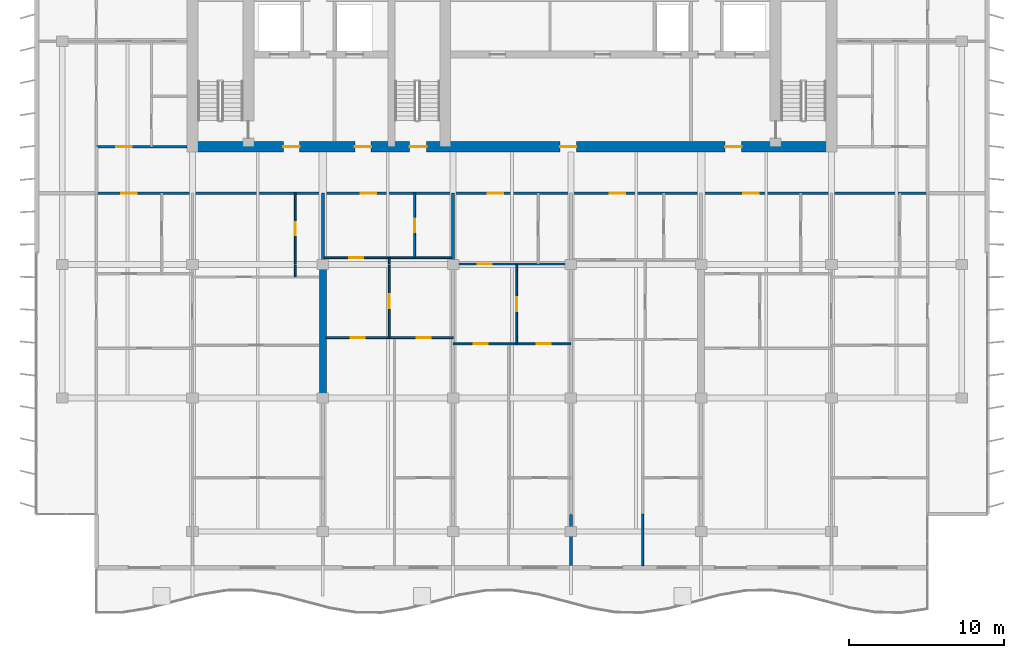
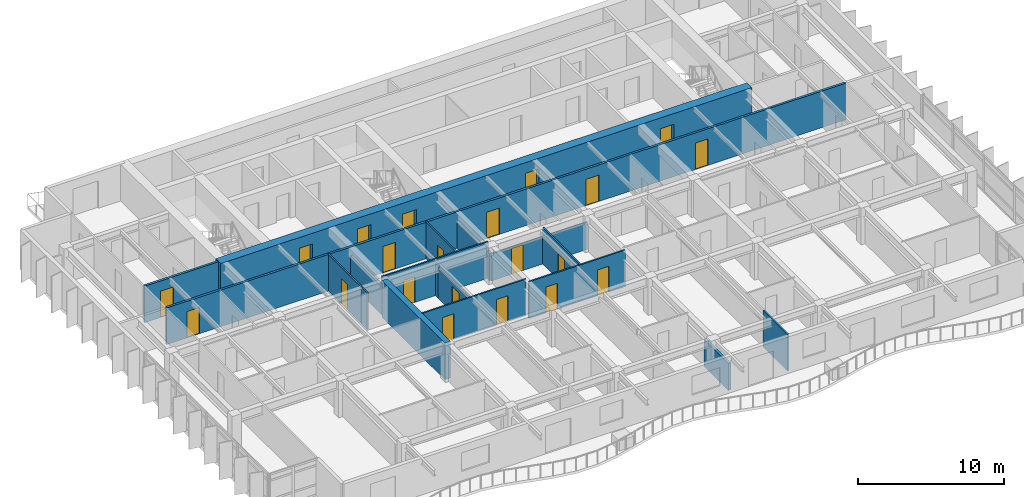
# One storey, part 7 of 16: 21 doors, 18 walls, 21 openings.
"""IFC4 building model written with IfcOpenShell, lengths in metres."""

from ifc_helpers import new_model, si_unit, direction, frame, frame_2d, origin, place, context, subcontext, project, spatial, rectangle, extrude, material, layer, layer_set, type_object, element, fill, save


model = new_model("IFC4")

# Units and contexts
model_context = context("Model", 3, precision=1e-05, world=origin(), true_north=direction((0.0, 1.0)))
body_context = subcontext(model_context, "Body", "Model", "MODEL_VIEW")
ifc_project = project(units=[si_unit("LENGTHUNIT", "METRE"), si_unit("AREAUNIT", "SQUARE_METRE"), si_unit("VOLUMEUNIT", "CUBIC_METRE"), si_unit("PLANEANGLEUNIT", "RADIAN"), si_unit("MASSUNIT", "GRAM", prefix="KILO")], contexts=[model_context])

# Site, building, storey
site_placement = place(None, origin())
site = spatial("IfcSite", under=ifc_project, at=site_placement, CompositionType="ELEMENT")
building_placement = place(site_placement, origin())
building = spatial("IfcBuilding", under=site, at=building_placement, Name="Caelmar Bay Residences", CompositionType="ELEMENT")
storey_placement = place(building_placement, frame((0.0, 0.0, 239.699951171875)))
storey = spatial("IfcBuildingStorey", under=building, at=storey_placement, Name="L67", CompositionType="ELEMENT", Elevation=239.699951171875)

# Wall, openings, doors
ifc_material_1 = material(Name="Concrete f'c 55 MPa (8,000 psi)", Category="concrete")
ifc_layer_1 = layer(ifc_material_1, 0.699951171875)
ifc_layer_set_1 = layer_set([ifc_layer_1], Name="Concrete f'c 55 MPa (8,000 psi)")
wall_type_1 = type_object("IfcWallType", Name="SW-COR-700", PredefinedType="SHEAR", material=ifc_layer_set_1)
wall_1_placement = place(storey_placement, frame((17.949951171875, 37.0, 0.0), z_axis=(0.0, 0.0, 1.0), x_axis=(1.0, 0.0, 0.0)))
wall_1 = element("IfcWall", 1, at=wall_1_placement, inside=storey, type_object=wall_type_1, Name="L67 Rear Core South Shear Wall", PredefinedType="SHEAR", context=body_context, shape_type="SweptSolid", body=[
    extrude(rectangle(XDim=41.900146484375, YDim=0.699951171875, at=frame_2d((20.9501953125, 0.0))), origin(), (0.0, 0.0, 1.0), 3.050048828125),
])
opening_1_placement = place(wall_1_placement, frame((14.35009765625, 0.0, 0.0)))
opening_1 = element("IfcOpeningElement", 2, at=opening_1_placement, cuts=wall_1, Name="Opening D-L67-105", PredefinedType="OPENING", context=body_context, shape_type="SweptSolid", body=[
    extrude(rectangle(XDim=1.10009765625, YDim=2.14990234375, at=frame_2d((0.550048828125, 1.074951171875))), frame((0.0, 0.35986328125, 0.0), z_axis=(0.0, -1.0, 0.0), x_axis=(1.0, 0.0, 0.0)), (0.0, 0.0, 1.0), 0.719970703125),
])
opening_2_placement = place(wall_1_placement, frame((6.199951171875, 0.0, 0.0)))
opening_2 = element("IfcOpeningElement", 3, at=opening_2_placement, cuts=wall_1, Name="Opening D-L67-106", PredefinedType="OPENING", context=body_context, shape_type="SweptSolid", body=[
    extrude(rectangle(XDim=1.050048828125, YDim=2.14990234375, at=frame_2d((0.52490234375, 1.074951171875))), frame((0.0, 0.35986328125, 0.0), z_axis=(0.0, -1.0, 0.0), x_axis=(1.0, 0.0, 0.0)), (0.0, 0.0, 1.0), 0.719970703125),
])
opening_3_placement = place(wall_1_placement, frame((34.699951171875, 0.0, 0.0)))
opening_3 = element("IfcOpeningElement", 4, at=opening_3_placement, cuts=wall_1, Name="Opening D-L67-109", PredefinedType="OPENING", context=body_context, shape_type="SweptSolid", body=[
    extrude(rectangle(XDim=1.050048828125, YDim=2.14990234375, at=frame_2d((0.52490234375, 1.074951171875))), frame((0.0, 0.35986328125, 0.0), z_axis=(0.0, -1.0, 0.0), x_axis=(1.0, 0.0, 0.0)), (0.0, 0.0, 1.0), 0.719970703125),
])
opening_4_placement = place(wall_1_placement, frame((10.8125, 0.0, 0.0)))
opening_4 = element("IfcOpeningElement", 5, at=opening_4_placement, cuts=wall_1, Name="Opening D-L67-112", PredefinedType="OPENING", context=body_context, shape_type="SweptSolid", body=[
    extrude(rectangle(XDim=1.050048828125, YDim=2.14990234375, at=frame_2d((0.52490234375, 1.074951171875))), frame((0.0, 0.35986328125, 0.0), z_axis=(0.0, -1.0, 0.0), x_axis=(1.0, 0.0, 0.0)), (0.0, 0.0, 1.0), 0.719970703125),
])
opening_5_placement = place(wall_1_placement, frame((24.050048828125, 0.0, 0.0)))
opening_5 = element("IfcOpeningElement", 6, at=opening_5_placement, cuts=wall_1, Name="Opening D-L67-113", PredefinedType="OPENING", context=body_context, shape_type="SweptSolid", body=[
    extrude(rectangle(XDim=1.050048828125, YDim=2.14990234375, at=frame_2d((0.52490234375, 1.074951171875))), frame((0.0, 0.35986328125, 0.0), z_axis=(0.0, -1.0, 0.0), x_axis=(1.0, 0.0, 0.0)), (0.0, 0.0, 1.0), 0.719970703125),
])
ifc_material_2 = material(Name="Fire-rated steel and walnut architectural door assembly", Category="steel")
ifc_layer_2 = layer(ifc_material_2, 0.050048828125)
ifc_layer_set_2 = layer_set([ifc_layer_2], Name="Fire-rated steel and walnut architectural door assembly")
door_type_1 = type_object("IfcDoorType", Name="D-FSAE-1050", OperationType="NOTDEFINED", PredefinedType="DOOR", material=ifc_layer_set_2)
door_1_placement = place(opening_2_placement, origin())
door_1 = element("IfcDoor", 7, at=door_1_placement, inside=storey, type_object=door_type_1, Name="L67 Firefighting Lobby West Door", OperationType="SINGLE_SWING_LEFT", OverallHeight=2.14990234375, OverallWidth=1.050048828125, PredefinedType="DOOR", context=body_context, shape_type="SweptSolid", body=[
    extrude(rectangle(XDim=1.050048828125, YDim=2.14990234375, at=frame_2d((0.52490234375, 1.074951171875))), frame((0.0, 0.02490234375, 0.0), z_axis=(0.0, -1.0, 0.0), x_axis=(1.0, 0.0, 0.0)), (0.0, 0.0, 1.0), 0.050048828125),
])
fill(opening_2, door_1)
door_2_placement = place(opening_3_placement, origin())
door_2 = element("IfcDoor", 8, at=door_2_placement, inside=storey, type_object=door_type_1, Name="L67 Firefighting Lobby East Door", OperationType="SINGLE_SWING_RIGHT", OverallHeight=2.14990234375, OverallWidth=1.050048828125, PredefinedType="DOOR", context=body_context, shape_type="SweptSolid", body=[
    extrude(rectangle(XDim=1.050048828125, YDim=2.14990234375, at=frame_2d((0.52490234375, 1.074951171875))), frame((0.0, 0.02490234375, 0.0), z_axis=(0.0, -1.0, 0.0), x_axis=(1.0, 0.0, 0.0)), (0.0, 0.0, 1.0), 0.050048828125),
])
fill(opening_3, door_2)
door_3_placement = place(opening_4_placement, origin())
door_3 = element("IfcDoor", 9, at=door_3_placement, inside=storey, type_object=door_type_1, Name="L67 West Lift Lobby Door", OperationType="SINGLE_SWING_LEFT", OverallHeight=2.14990234375, OverallWidth=1.050048828125, PredefinedType="DOOR", context=body_context, shape_type="SweptSolid", body=[
    extrude(rectangle(XDim=1.050048828125, YDim=2.14990234375, at=frame_2d((0.52490234375, 1.074951171875))), frame((0.0, 0.02490234375, 0.0), z_axis=(0.0, -1.0, 0.0), x_axis=(1.0, 0.0, 0.0)), (0.0, 0.0, 1.0), 0.050048828125),
])
fill(opening_4, door_3)
door_4_placement = place(opening_5_placement, origin())
door_4 = element("IfcDoor", 10, at=door_4_placement, inside=storey, type_object=door_type_1, Name="L67 Passenger Lift Lobby Door", OperationType="SINGLE_SWING_RIGHT", OverallHeight=2.14990234375, OverallWidth=1.050048828125, PredefinedType="DOOR", context=body_context, shape_type="SweptSolid", body=[
    extrude(rectangle(XDim=1.050048828125, YDim=2.14990234375, at=frame_2d((0.52490234375, 1.074951171875))), frame((0.0, 0.02490234375, 0.0), z_axis=(0.0, -1.0, 0.0), x_axis=(1.0, 0.0, 0.0)), (0.0, 0.0, 1.0), 0.050048828125),
])
fill(opening_5, door_4)
ifc_layer_3 = layer(ifc_material_2, 0.050048828125)
ifc_layer_set_3 = layer_set([ifc_layer_3], Name="Fire-rated steel and walnut architectural door assembly")
door_type_2 = type_object("IfcDoorType", Name="D-STAIR-1100", OperationType="NOTDEFINED", PredefinedType="DOOR", material=ifc_layer_set_3)
door_5_placement = place(opening_1_placement, origin())
door_5 = element("IfcDoor", 11, at=door_5_placement, inside=storey, type_object=door_type_2, Name="L67 Exit Stair ST3 Door", OperationType="SINGLE_SWING_RIGHT", OverallHeight=2.14990234375, OverallWidth=1.10009765625, PredefinedType="DOOR", context=body_context, shape_type="SweptSolid", body=[
    extrude(rectangle(XDim=1.10009765625, YDim=2.14990234375, at=frame_2d((0.550048828125, 1.074951171875))), frame((0.0, 0.02490234375, 0.0), z_axis=(0.0, -1.0, 0.0), x_axis=(1.0, 0.0, 0.0)), (0.0, 0.0, 1.0), 0.050048828125),
])
fill(opening_1, door_5)

# Wall
ifc_layer_4 = layer(ifc_material_1, 0.449951171875)
ifc_layer_set_4 = layer_set([ifc_layer_4], Name="Concrete f'c 55 MPa (8,000 psi)")
wall_type_2 = type_object("IfcWallType", Name="SW-XSLB-450", PredefinedType="SHEAR", material=ifc_layer_set_4)
wall_2_placement = place(storey_placement, frame((26.699951171875, 20.800048828125, 0.0), z_axis=(0.0, 0.0, 1.0), x_axis=(0.0, 1.0, 0.0)))
element("IfcWall", 12, at=wall_2_placement, inside=storey, type_object=wall_type_2, Name="L67 Transverse Cross-Slab Shear Wall W5", PredefinedType="SHEAR", context=body_context, shape_type="SweptSolid", body=[
    extrude(rectangle(XDim=8.599853515625, YDim=0.449951171875, at=frame_2d((4.2998046875, 0.0))), origin(), (0.0, 0.0, 1.0), 3.050048828125),
])

# Wall, openings, doors
ifc_material_3 = material(Name="Double-stud acoustic fire-rated gypsum partition 180 mm")
ifc_layer_5 = layer(ifc_material_3, 0.179931640625)
ifc_layer_set_5 = layer_set([ifc_layer_5], Name="Double-stud acoustic fire-rated gypsum partition 180 mm")
wall_type_3 = type_object("IfcWallType", Name="W-COR-200", PredefinedType="PARTITIONING", material=ifc_layer_set_5)
wall_3_placement = place(storey_placement, frame((12.10498046875, 34.0, 0.0), z_axis=(0.0, 0.0, 1.0), x_axis=(1.0, 0.0, 0.0)))
wall_3 = element("IfcWall", 13, at=wall_3_placement, inside=storey, type_object=wall_type_3, Name="L67 Partition Wall H083", PredefinedType="PARTITIONING", context=body_context, shape_type="SweptSolid", body=[
    extrude(rectangle(XDim=53.594970703125, YDim=0.179931640625, at=frame_2d((26.79736328125, 0.0))), origin(), (0.0, 0.0, 1.0), 3.050048828125),
])
opening_6_placement = place(wall_3_placement, frame((1.60693359375, 0.0, 0.0)))
opening_6 = element("IfcOpeningElement", 14, at=opening_6_placement, cuts=wall_3, Name="Opening D-L67-120", PredefinedType="OPENING", context=body_context, shape_type="SweptSolid", body=[
    extrude(rectangle(XDim=1.0, YDim=2.199951171875, at=frame_2d((0.5, 1.10009765625))), frame((0.0, 0.099853515625, 0.0), z_axis=(0.0, -1.0, 0.0), x_axis=(1.0, 0.0, 0.0)), (0.0, 0.0, 1.0), 0.199951171875),
])
opening_7_placement = place(wall_3_placement, frame((17.056884765625, 0.0, 0.0)))
opening_7 = element("IfcOpeningElement", 15, at=opening_7_placement, cuts=wall_3, Name="Opening D-L67-129", PredefinedType="OPENING", context=body_context, shape_type="SweptSolid", body=[
    extrude(rectangle(XDim=1.0, YDim=2.199951171875, at=frame_2d((0.5, 1.10009765625))), frame((0.0, 0.099853515625, 0.0), z_axis=(0.0, -1.0, 0.0), x_axis=(1.0, 0.0, 0.0)), (0.0, 0.0, 1.0), 0.199951171875),
])
opening_8_placement = place(wall_3_placement, frame((25.242431640625, 0.0, 0.0)))
opening_8 = element("IfcOpeningElement", 16, at=opening_8_placement, cuts=wall_3, Name="Opening D-L67-136", PredefinedType="OPENING", context=body_context, shape_type="SweptSolid", body=[
    extrude(rectangle(XDim=1.0, YDim=2.199951171875, at=frame_2d((0.5, 1.10009765625))), frame((0.0, 0.099853515625, 0.0), z_axis=(0.0, -1.0, 0.0), x_axis=(1.0, 0.0, 0.0)), (0.0, 0.0, 1.0), 0.199951171875),
])
opening_9_placement = place(wall_3_placement, frame((33.091552734375, 0.0, 0.0)))
opening_9 = element("IfcOpeningElement", 17, at=opening_9_placement, cuts=wall_3, Name="Opening D-L67-143", PredefinedType="OPENING", context=body_context, shape_type="SweptSolid", body=[
    extrude(rectangle(XDim=1.0, YDim=2.199951171875, at=frame_2d((0.5, 1.10009765625))), frame((0.0, 0.099853515625, 0.0), z_axis=(0.0, -1.0, 0.0), x_axis=(1.0, 0.0, 0.0)), (0.0, 0.0, 1.0), 0.199951171875),
])
opening_10_placement = place(wall_3_placement, frame((41.70458984375, 0.0, 0.0)))
opening_10 = element("IfcOpeningElement", 18, at=opening_10_placement, cuts=wall_3, Name="Opening D-L67-150", PredefinedType="OPENING", context=body_context, shape_type="SweptSolid", body=[
    extrude(rectangle(XDim=1.0, YDim=2.199951171875, at=frame_2d((0.5, 1.10009765625))), frame((0.0, 0.099853515625, 0.0), z_axis=(0.0, -1.0, 0.0), x_axis=(1.0, 0.0, 0.0)), (0.0, 0.0, 1.0), 0.199951171875),
])
ifc_layer_6 = layer(ifc_material_2, 0.050048828125)
ifc_layer_set_6 = layer_set([ifc_layer_6], Name="Fire-rated steel and walnut architectural door assembly")
door_type_3 = type_object("IfcDoorType", Name="D-UNIT-1000", OperationType="NOTDEFINED", PredefinedType="DOOR", material=ifc_layer_set_6)
door_6_placement = place(opening_6_placement, origin())
door_6 = element("IfcDoor", 19, at=door_6_placement, inside=storey, type_object=door_type_3, Name="L67 Residence 01 Apartment Hall Door", OperationType="SINGLE_SWING_LEFT", OverallHeight=2.199951171875, OverallWidth=1.0, PredefinedType="DOOR", context=body_context, shape_type="SweptSolid", body=[
    extrude(rectangle(XDim=1.0, YDim=2.199951171875, at=frame_2d((0.5, 1.10009765625))), frame((0.0, 0.02490234375, 0.0), z_axis=(0.0, -1.0, 0.0), x_axis=(1.0, 0.0, 0.0)), (0.0, 0.0, 1.0), 0.050048828125),
])
fill(opening_6, door_6)
door_7_placement = place(opening_7_placement, origin())
door_7 = element("IfcDoor", 20, at=door_7_placement, inside=storey, type_object=door_type_3, Name="L67 Residence 02 Apartment Hall Door", OperationType="SINGLE_SWING_RIGHT", OverallHeight=2.199951171875, OverallWidth=1.0, PredefinedType="DOOR", context=body_context, shape_type="SweptSolid", body=[
    extrude(rectangle(XDim=1.0, YDim=2.199951171875, at=frame_2d((0.5, 1.10009765625))), frame((0.0, 0.02490234375, 0.0), z_axis=(0.0, -1.0, 0.0), x_axis=(1.0, 0.0, 0.0)), (0.0, 0.0, 1.0), 0.050048828125),
])
fill(opening_7, door_7)
door_8_placement = place(opening_8_placement, origin())
door_8 = element("IfcDoor", 21, at=door_8_placement, inside=storey, type_object=door_type_3, Name="L67 Residence 03 Apartment Hall Door", OperationType="SINGLE_SWING_LEFT", OverallHeight=2.199951171875, OverallWidth=1.0, PredefinedType="DOOR", context=body_context, shape_type="SweptSolid", body=[
    extrude(rectangle(XDim=1.0, YDim=2.199951171875, at=frame_2d((0.5, 1.10009765625))), frame((0.0, 0.02490234375, 0.0), z_axis=(0.0, -1.0, 0.0), x_axis=(1.0, 0.0, 0.0)), (0.0, 0.0, 1.0), 0.050048828125),
])
fill(opening_8, door_8)
door_9_placement = place(opening_9_placement, origin())
door_9 = element("IfcDoor", 22, at=door_9_placement, inside=storey, type_object=door_type_3, Name="L67 Residence 04 Apartment Hall Door", OperationType="SINGLE_SWING_RIGHT", OverallHeight=2.199951171875, OverallWidth=1.0, PredefinedType="DOOR", context=body_context, shape_type="SweptSolid", body=[
    extrude(rectangle(XDim=1.0, YDim=2.199951171875, at=frame_2d((0.5, 1.10009765625))), frame((0.0, 0.02490234375, 0.0), z_axis=(0.0, -1.0, 0.0), x_axis=(1.0, 0.0, 0.0)), (0.0, 0.0, 1.0), 0.050048828125),
])
fill(opening_9, door_9)
door_10_placement = place(opening_10_placement, origin())
door_10 = element("IfcDoor", 23, at=door_10_placement, inside=storey, type_object=door_type_3, Name="L67 Residence 05 Apartment Hall Door", OperationType="SINGLE_SWING_LEFT", OverallHeight=2.199951171875, OverallWidth=1.0, PredefinedType="DOOR", context=body_context, shape_type="SweptSolid", body=[
    extrude(rectangle(XDim=1.0, YDim=2.199951171875, at=frame_2d((0.5, 1.10009765625))), frame((0.0, 0.02490234375, 0.0), z_axis=(0.0, -1.0, 0.0), x_axis=(1.0, 0.0, 0.0)), (0.0, 0.0, 1.0), 0.050048828125),
])
fill(opening_10, door_10)

# Wall, opening, door
wall_4_placement = place(storey_placement, frame((12.10009765625, 37.0, 0.0), z_axis=(0.0, 0.0, 1.0), x_axis=(1.0, 0.0, 0.0)))
wall_4 = element("IfcWall", 24, at=wall_4_placement, inside=storey, type_object=wall_type_3, Name="L67 Partition Wall H085", PredefinedType="PARTITIONING", context=body_context, shape_type="SweptSolid", body=[
    extrude(rectangle(XDim=5.844970703125, YDim=0.179931640625, at=frame_2d((2.92236328125, 0.0))), origin(), (0.0, 0.0, 1.0), 3.050048828125),
])
opening_11_placement = place(wall_4_placement, frame((1.27490234375, 0.0, 0.0)))
opening_11 = element("IfcOpeningElement", 25, at=opening_11_placement, cuts=wall_4, Name="Opening D-L67-162", PredefinedType="OPENING", context=body_context, shape_type="SweptSolid", body=[
    extrude(rectangle(XDim=1.0, YDim=2.199951171875, at=frame_2d((0.5, 1.10009765625))), frame((0.0, 0.099853515625, 0.0), z_axis=(0.0, -1.0, 0.0), x_axis=(1.0, 0.0, 0.0)), (0.0, 0.0, 1.0), 0.199951171875),
])
door_11_placement = place(opening_11_placement, origin())
door_11 = element("IfcDoor", 26, at=door_11_placement, inside=storey, type_object=door_type_3, Name="L67 Residence WA Kitchen Door", OperationType="SINGLE_SWING_LEFT", OverallHeight=2.199951171875, OverallWidth=1.0, PredefinedType="DOOR", context=body_context, shape_type="SweptSolid", body=[
    extrude(rectangle(XDim=1.0, YDim=2.199951171875, at=frame_2d((0.5, 1.10009765625))), frame((0.0, 0.02490234375, 0.0), z_axis=(0.0, -1.0, 0.0), x_axis=(1.0, 0.0, 0.0)), (0.0, 0.0, 1.0), 0.050048828125),
])
fill(opening_11, door_11)

# Wall
ifc_material_4 = material(Name="Acoustic metal-stud gypsum partition 120 mm")
ifc_layer_7 = layer(ifc_material_4, 0.1201171875)
ifc_layer_set_7 = layer_set([ifc_layer_7], Name="Acoustic metal-stud gypsum partition 120 mm")
wall_type_4 = type_object("IfcWallType", Name="W-PRT-120", PredefinedType="PARTITIONING", material=ifc_layer_set_7)
wall_5_placement = place(storey_placement, frame((24.922119140625, 28.60009765625, 0.0), z_axis=(0.0, 0.0, 1.0), x_axis=(0.0, 1.0, 0.0)))
element("IfcWall", 27, at=wall_5_placement, inside=storey, type_object=wall_type_4, Name="L67 Partition Wall V012", PredefinedType="PARTITIONING", context=body_context, shape_type="SweptSolid", body=[
    extrude(rectangle(XDim=0.7998046875, YDim=0.1201171875, at=frame_2d((0.39990234375, 0.0))), origin(), (0.0, 0.0, 1.0), 3.050048828125),
])

# Wall, opening, door
wall_6_placement = place(storey_placement, frame((24.922119140625, 29.43994140625, 0.0), z_axis=(0.0, 0.0, 1.0), x_axis=(0.0, 1.0, 0.0)))
wall_6 = element("IfcWall", 28, at=wall_6_placement, inside=storey, type_object=wall_type_4, Name="L67 Partition Wall V013", PredefinedType="PARTITIONING", context=body_context, shape_type="SweptSolid", body=[
    extrude(rectangle(XDim=4.56005859375, YDim=0.1201171875, at=frame_2d((2.280029296875, 0.0))), origin(), (0.0, 0.0, 1.0), 3.050048828125),
])
opening_12_placement = place(wall_6_placement, frame((1.85498046875, 0.0, 0.0)))
opening_12 = element("IfcOpeningElement", 29, at=opening_12_placement, cuts=wall_6, Name="Opening D-L67-126", PredefinedType="OPENING", context=body_context, shape_type="SweptSolid", body=[
    extrude(rectangle(XDim=0.85009765625, YDim=2.10009765625, at=frame_2d((0.425048828125, 1.050048828125))), frame((0.0, 0.070068359375, 0.0), z_axis=(0.0, -1.0, 0.0), x_axis=(1.0, 0.0, 0.0)), (0.0, 0.0, 1.0), 0.14013671875),
])
ifc_material_5 = material(Name="Solid walnut timber interior door leaf and frame", Category="wood")
ifc_layer_8 = layer(ifc_material_5, 0.050048828125)
ifc_layer_set_8 = layer_set([ifc_layer_8], Name="Solid walnut timber interior door leaf and frame")
door_type_4 = type_object("IfcDoorType", Name="D-BATH-850", OperationType="NOTDEFINED", PredefinedType="DOOR", material=ifc_layer_set_8)
door_12_placement = place(opening_12_placement, origin())
door_12 = element("IfcDoor", 30, at=door_12_placement, inside=storey, type_object=door_type_4, Name="L67 Residence 01 En-Suite Bathroom 1 Door", OperationType="SINGLE_SWING_LEFT", OverallHeight=2.10009765625, OverallWidth=0.85009765625, PredefinedType="DOOR", context=body_context, shape_type="SweptSolid", body=[
    extrude(rectangle(XDim=0.85009765625, YDim=2.10009765625, at=frame_2d((0.425048828125, 1.050048828125))), frame((0.0, 0.02490234375, 0.0), z_axis=(0.0, -1.0, 0.0), x_axis=(1.0, 0.0, 0.0)), (0.0, 0.0, 1.0), 0.050048828125),
])
fill(opening_12, door_12)

wall_7_placement = place(storey_placement, frame((30.986083984375, 24.68994140625, 0.0), z_axis=(0.0, 0.0, 1.0), x_axis=(0.0, 1.0, 0.0)))
wall_7 = element("IfcWall", 31, at=wall_7_placement, inside=storey, type_object=wall_type_4, Name="L67 Partition Wall V020", PredefinedType="PARTITIONING", context=body_context, shape_type="SweptSolid", body=[
    extrude(rectangle(XDim=4.7099609375, YDim=0.1201171875, at=frame_2d((2.35498046875, 0.0))), origin(), (0.0, 0.0, 1.0), 2.629150390625),
])
opening_13_placement = place(wall_7_placement, frame((1.905029296875, 0.0, 0.0)))
opening_13 = element("IfcOpeningElement", 32, at=opening_13_placement, cuts=wall_7, Name="Opening D-L67-132", PredefinedType="OPENING", context=body_context, shape_type="SweptSolid", body=[
    extrude(rectangle(XDim=0.89990234375, YDim=2.14990234375, at=frame_2d((0.449951171875, 1.074951171875))), frame((0.0, 0.070068359375, 0.0), z_axis=(0.0, -1.0, 0.0), x_axis=(1.0, 0.0, 0.0)), (0.0, 0.0, 1.0), 0.14013671875),
])
ifc_layer_9 = layer(ifc_material_5, 0.050048828125)
ifc_layer_set_9 = layer_set([ifc_layer_9], Name="Solid walnut timber interior door leaf and frame")
door_type_5 = type_object("IfcDoorType", Name="D-ROOM-900", OperationType="NOTDEFINED", PredefinedType="DOOR", material=ifc_layer_set_9)
door_13_placement = place(opening_13_placement, origin())
door_13 = element("IfcDoor", 33, at=door_13_placement, inside=storey, type_object=door_type_5, Name="L67 Residence 02 Home Office Door", OperationType="SINGLE_SWING_LEFT", OverallHeight=2.14990234375, OverallWidth=0.89990234375, PredefinedType="DOOR", context=body_context, shape_type="SweptSolid", body=[
    extrude(rectangle(XDim=0.89990234375, YDim=2.14990234375, at=frame_2d((0.449951171875, 1.074951171875))), frame((0.0, 0.02490234375, 0.0), z_axis=(0.0, -1.0, 0.0), x_axis=(1.0, 0.0, 0.0)), (0.0, 0.0, 1.0), 0.050048828125),
])
fill(opening_13, door_13)

# Wall
wall_8_placement = place(storey_placement, frame((30.986083984375, 29.43994140625, 0.0), z_axis=(0.0, 0.0, 1.0), x_axis=(0.0, 1.0, 0.0)))
element("IfcWall", 34, at=wall_8_placement, inside=storey, type_object=wall_type_4, Name="L67 Partition Wall V021", PredefinedType="PARTITIONING", context=body_context, shape_type="SweptSolid", body=[
    extrude(rectangle(XDim=0.400146484375, YDim=0.1201171875, at=frame_2d((0.2001953125, 0.0))), origin(), (0.0, 0.0, 1.0), 2.72509765625),
])

# Wall, opening, door
wall_9_placement = place(storey_placement, frame((32.6240234375, 29.840087890625, 0.0), z_axis=(0.0, 0.0, 1.0), x_axis=(0.0, 1.0, 0.0)))
wall_9 = element("IfcWall", 35, at=wall_9_placement, inside=storey, type_object=wall_type_4, Name="L67 Partition Wall V024", PredefinedType="PARTITIONING", context=body_context, shape_type="SweptSolid", body=[
    extrude(rectangle(XDim=4.159912109375, YDim=0.1201171875, at=frame_2d((2.080078125, 0.0))), origin(), (0.0, 0.0, 1.0), 3.050048828125),
])
opening_14_placement = place(wall_9_placement, frame((1.655029296875, 0.0, 0.0)))
opening_14 = element("IfcOpeningElement", 36, at=opening_14_placement, cuts=wall_9, Name="Opening D-L67-130", PredefinedType="OPENING", context=body_context, shape_type="SweptSolid", body=[
    extrude(rectangle(XDim=0.85009765625, YDim=2.10009765625, at=frame_2d((0.425048828125, 1.050048828125))), frame((0.0, 0.070068359375, 0.0), z_axis=(0.0, -1.0, 0.0), x_axis=(1.0, 0.0, 0.0)), (0.0, 0.0, 1.0), 0.14013671875),
])
door_14_placement = place(opening_14_placement, origin())
door_14 = element("IfcDoor", 37, at=door_14_placement, inside=storey, type_object=door_type_4, Name="L67 Residence 02 Bathroom Door", OperationType="SINGLE_SWING_LEFT", OverallHeight=2.10009765625, OverallWidth=0.85009765625, PredefinedType="DOOR", context=body_context, shape_type="SweptSolid", body=[
    extrude(rectangle(XDim=0.85009765625, YDim=2.10009765625, at=frame_2d((0.425048828125, 1.050048828125))), frame((0.0, 0.02490234375, 0.0), z_axis=(0.0, -1.0, 0.0), x_axis=(1.0, 0.0, 0.0)), (0.0, 0.0, 1.0), 0.050048828125),
])
fill(opening_14, door_14)

wall_10_placement = place(storey_placement, frame((39.2041015625, 24.2900390625, 0.0), z_axis=(0.0, 0.0, 1.0), x_axis=(0.0, 1.0, 0.0)))
wall_10 = element("IfcWall", 38, at=wall_10_placement, inside=storey, type_object=wall_type_4, Name="L67 Partition Wall V031", PredefinedType="PARTITIONING", context=body_context, shape_type="SweptSolid", body=[
    extrude(rectangle(XDim=5.10986328125, YDim=0.1201171875, at=frame_2d((2.554931640625, 0.0))), origin(), (0.0, 0.0, 1.0), 3.050048828125),
])
opening_15_placement = place(wall_10_placement, frame((2.10498046875, 0.0, 0.0)))
opening_15 = element("IfcOpeningElement", 39, at=opening_15_placement, cuts=wall_10, Name="Opening D-L67-139", PredefinedType="OPENING", context=body_context, shape_type="SweptSolid", body=[
    extrude(rectangle(XDim=0.89990234375, YDim=2.14990234375, at=frame_2d((0.449951171875, 1.074951171875))), frame((0.0, 0.070068359375, 0.0), z_axis=(0.0, -1.0, 0.0), x_axis=(1.0, 0.0, 0.0)), (0.0, 0.0, 1.0), 0.14013671875),
])
door_15_placement = place(opening_15_placement, origin())
door_15 = element("IfcDoor", 40, at=door_15_placement, inside=storey, type_object=door_type_5, Name="L67 Residence 03 Home Office Door", OperationType="SINGLE_SWING_RIGHT", OverallHeight=2.14990234375, OverallWidth=0.89990234375, PredefinedType="DOOR", context=body_context, shape_type="SweptSolid", body=[
    extrude(rectangle(XDim=0.89990234375, YDim=2.14990234375, at=frame_2d((0.449951171875, 1.074951171875))), frame((0.0, 0.02490234375, 0.0), z_axis=(0.0, -1.0, 0.0), x_axis=(1.0, 0.0, 0.0)), (0.0, 0.0, 1.0), 0.050048828125),
])
fill(opening_15, door_15)

# Wall
wall_11_placement = place(storey_placement, frame((47.320068359375, 9.9951171875, 0.0), z_axis=(0.0, 0.0, 1.0), x_axis=(0.0, 1.0, 0.0)))
element("IfcWall", 41, at=wall_11_placement, inside=storey, type_object=wall_type_4, Name="L67 Partition Wall V037", PredefinedType="PARTITIONING", context=body_context, shape_type="SweptSolid", body=[
    extrude(rectangle(XDim=3.304931640625, YDim=0.1201171875, at=frame_2d((1.65234375, 0.0))), origin(), (0.0, 0.0, 1.0), 3.050048828125),
])

# Wall, openings, doors
wall_12_placement = place(storey_placement, frame((35.10009765625, 24.2900390625, 0.0), z_axis=(0.0, 0.0, 1.0), x_axis=(1.0, 0.0, 0.0)))
wall_12 = element("IfcWall", 42, at=wall_12_placement, inside=storey, type_object=wall_type_4, Name="L67 Partition Wall H072", PredefinedType="PARTITIONING", context=body_context, shape_type="SweptSolid", body=[
    extrude(rectangle(XDim=7.599853515625, YDim=0.1201171875, at=frame_2d((3.7998046875, 0.0))), origin(), (0.0, 0.0, 1.0), 3.050048828125),
])
opening_16_placement = place(wall_12_placement, frame((1.3359375, 0.0, 0.0)))
opening_16 = element("IfcOpeningElement", 43, at=opening_16_placement, cuts=wall_12, Name="Opening D-L67-140", PredefinedType="OPENING", context=body_context, shape_type="SweptSolid", body=[
    extrude(rectangle(XDim=0.89990234375, YDim=2.14990234375, at=frame_2d((0.449951171875, 1.074951171875))), frame((0.0, 0.070068359375, 0.0), z_axis=(0.0, -1.0, 0.0), x_axis=(1.0, 0.0, 0.0)), (0.0, 0.0, 1.0), 0.14013671875),
])
opening_17_placement = place(wall_12_placement, frame((5.402099609375, 0.0, 0.0)))
opening_17 = element("IfcOpeningElement", 44, at=opening_17_placement, cuts=wall_12, Name="Opening D-L67-141", PredefinedType="OPENING", context=body_context, shape_type="SweptSolid", body=[
    extrude(rectangle(XDim=0.89990234375, YDim=2.14990234375, at=frame_2d((0.449951171875, 1.074951171875))), frame((0.0, 0.070068359375, 0.0), z_axis=(0.0, -1.0, 0.0), x_axis=(1.0, 0.0, 0.0)), (0.0, 0.0, 1.0), 0.14013671875),
])
door_16_placement = place(opening_16_placement, origin())
door_16 = element("IfcDoor", 45, at=door_16_placement, inside=storey, type_object=door_type_5, Name="L67 Residence 03 Living Room Door", OperationType="SINGLE_SWING_LEFT", OverallHeight=2.14990234375, OverallWidth=0.89990234375, PredefinedType="DOOR", context=body_context, shape_type="SweptSolid", body=[
    extrude(rectangle(XDim=0.89990234375, YDim=2.14990234375, at=frame_2d((0.449951171875, 1.074951171875))), frame((0.0, 0.02490234375, 0.0), z_axis=(0.0, -1.0, 0.0), x_axis=(1.0, 0.0, 0.0)), (0.0, 0.0, 1.0), 0.050048828125),
])
fill(opening_16, door_16)
door_17_placement = place(opening_17_placement, origin())
door_17 = element("IfcDoor", 46, at=door_17_placement, inside=storey, type_object=door_type_5, Name="L67 Residence 03 Bedroom 2 Door", OperationType="SINGLE_SWING_RIGHT", OverallHeight=2.14990234375, OverallWidth=0.89990234375, PredefinedType="DOOR", context=body_context, shape_type="SweptSolid", body=[
    extrude(rectangle(XDim=0.89990234375, YDim=2.14990234375, at=frame_2d((0.449951171875, 1.074951171875))), frame((0.0, 0.02490234375, 0.0), z_axis=(0.0, -1.0, 0.0), x_axis=(1.0, 0.0, 0.0)), (0.0, 0.0, 1.0), 0.050048828125),
])
fill(opening_17, door_17)

wall_13_placement = place(storey_placement, frame((26.919921875, 24.68994140625, 0.0), z_axis=(0.0, 0.0, 1.0), x_axis=(1.0, 0.0, 0.0)))
wall_13 = element("IfcWall", 47, at=wall_13_placement, inside=storey, type_object=wall_type_4, Name="L67 Partition Wall H074", PredefinedType="PARTITIONING", context=body_context, shape_type="SweptSolid", body=[
    extrude(rectangle(XDim=8.18017578125, YDim=0.1201171875, at=frame_2d((4.090087890625, 0.0))), origin(), (0.0, 0.0, 1.0), 3.050048828125),
])
opening_18_placement = place(wall_13_placement, frame((1.5830078125, 0.0, 0.0)))
opening_18 = element("IfcOpeningElement", 48, at=opening_18_placement, cuts=wall_13, Name="Opening D-L67-133", PredefinedType="OPENING", context=body_context, shape_type="SweptSolid", body=[
    extrude(rectangle(XDim=0.89990234375, YDim=2.14990234375, at=frame_2d((0.449951171875, 1.074951171875))), frame((0.0, 0.070068359375, 0.0), z_axis=(0.0, -1.0, 0.0), x_axis=(1.0, 0.0, 0.0)), (0.0, 0.0, 1.0), 0.14013671875),
])
opening_19_placement = place(wall_13_placement, frame((5.840087890625, 0.0, 0.0)))
opening_19 = element("IfcOpeningElement", 49, at=opening_19_placement, cuts=wall_13, Name="Opening D-L67-134", PredefinedType="OPENING", context=body_context, shape_type="SweptSolid", body=[
    extrude(rectangle(XDim=0.89990234375, YDim=2.14990234375, at=frame_2d((0.449951171875, 1.074951171875))), frame((0.0, 0.070068359375, 0.0), z_axis=(0.0, -1.0, 0.0), x_axis=(1.0, 0.0, 0.0)), (0.0, 0.0, 1.0), 0.14013671875),
])
door_18_placement = place(opening_18_placement, origin())
door_18 = element("IfcDoor", 50, at=door_18_placement, inside=storey, type_object=door_type_5, Name="L67 Residence 02 Living Room Door", OperationType="SINGLE_SWING_RIGHT", OverallHeight=2.14990234375, OverallWidth=0.89990234375, PredefinedType="DOOR", context=body_context, shape_type="SweptSolid", body=[
    extrude(rectangle(XDim=0.89990234375, YDim=2.14990234375, at=frame_2d((0.449951171875, 1.074951171875))), frame((0.0, 0.02490234375, 0.0), z_axis=(0.0, -1.0, 0.0), x_axis=(1.0, 0.0, 0.0)), (0.0, 0.0, 1.0), 0.050048828125),
])
fill(opening_18, door_18)
door_19_placement = place(opening_19_placement, origin())
door_19 = element("IfcDoor", 51, at=door_19_placement, inside=storey, type_object=door_type_5, Name="L67 Residence 02 Bedroom 2 Door", OperationType="SINGLE_SWING_LEFT", OverallHeight=2.14990234375, OverallWidth=0.89990234375, PredefinedType="DOOR", context=body_context, shape_type="SweptSolid", body=[
    extrude(rectangle(XDim=0.89990234375, YDim=2.14990234375, at=frame_2d((0.449951171875, 1.074951171875))), frame((0.0, 0.02490234375, 0.0), z_axis=(0.0, -1.0, 0.0), x_axis=(1.0, 0.0, 0.0)), (0.0, 0.0, 1.0), 0.050048828125),
])
fill(opening_19, door_19)

# Wall, opening, door
wall_14_placement = place(storey_placement, frame((35.10009765625, 29.43994140625, 0.0), z_axis=(0.0, 0.0, 1.0), x_axis=(1.0, 0.0, 0.0)))
wall_14 = element("IfcWall", 52, at=wall_14_placement, inside=storey, type_object=wall_type_4, Name="L67 Partition Wall H079", PredefinedType="PARTITIONING", context=body_context, shape_type="SweptSolid", body=[
    extrude(rectangle(XDim=7.599853515625, YDim=0.1201171875, at=frame_2d((3.7998046875, 0.0))), origin(), (0.0, 0.0, 1.0), 2.262939453125),
])
opening_20_placement = place(wall_14_placement, frame((1.60205078125, 0.0, 0.0)))
opening_20 = element("IfcOpeningElement", 53, at=opening_20_placement, cuts=wall_14, Name="Opening D-L67-138", PredefinedType="OPENING", context=body_context, shape_type="SweptSolid", body=[
    extrude(rectangle(XDim=0.89990234375, YDim=2.14990234375, at=frame_2d((0.449951171875, 1.074951171875))), frame((0.0, 0.070068359375, 0.0), z_axis=(0.0, -1.0, 0.0), x_axis=(1.0, 0.0, 0.0)), (0.0, 0.0, 1.0), 0.14013671875),
])
door_20_placement = place(opening_20_placement, origin())
door_20 = element("IfcDoor", 54, at=door_20_placement, inside=storey, type_object=door_type_5, Name="L67 Residence 03 Kitchen Door", OperationType="SINGLE_SWING_LEFT", OverallHeight=2.14990234375, OverallWidth=0.89990234375, PredefinedType="DOOR", context=body_context, shape_type="SweptSolid", body=[
    extrude(rectangle(XDim=0.89990234375, YDim=2.14990234375, at=frame_2d((0.449951171875, 1.074951171875))), frame((0.0, 0.02490234375, 0.0), z_axis=(0.0, -1.0, 0.0), x_axis=(1.0, 0.0, 0.0)), (0.0, 0.0, 1.0), 0.050048828125),
])
fill(opening_20, door_20)

wall_15_placement = place(storey_placement, frame((26.699951171875, 29.840087890625, 0.0), z_axis=(0.0, 0.0, 1.0), x_axis=(1.0, 0.0, 0.0)))
wall_15 = element("IfcWall", 55, at=wall_15_placement, inside=storey, type_object=wall_type_4, Name="L67 Partition Wall H081", PredefinedType="PARTITIONING", context=body_context, shape_type="SweptSolid", body=[
    extrude(rectangle(XDim=8.400146484375, YDim=0.1201171875, at=frame_2d((4.2001953125, 0.0))), origin(), (0.0, 0.0, 1.0), 3.050048828125),
])
opening_21_placement = place(wall_15_placement, frame((1.693115234375, 0.0, 0.0)))
opening_21 = element("IfcOpeningElement", 56, at=opening_21_placement, cuts=wall_15, Name="Opening D-L67-131", PredefinedType="OPENING", context=body_context, shape_type="SweptSolid", body=[
    extrude(rectangle(XDim=0.89990234375, YDim=2.14990234375, at=frame_2d((0.449951171875, 1.074951171875))), frame((0.0, 0.070068359375, 0.0), z_axis=(0.0, -1.0, 0.0), x_axis=(1.0, 0.0, 0.0)), (0.0, 0.0, 1.0), 0.14013671875),
])
door_21_placement = place(opening_21_placement, origin())
door_21 = element("IfcDoor", 57, at=door_21_placement, inside=storey, type_object=door_type_5, Name="L67 Residence 02 Kitchen Door", OperationType="SINGLE_SWING_RIGHT", OverallHeight=2.14990234375, OverallWidth=0.89990234375, PredefinedType="DOOR", context=body_context, shape_type="SweptSolid", body=[
    extrude(rectangle(XDim=0.89990234375, YDim=2.14990234375, at=frame_2d((0.449951171875, 1.074951171875))), frame((0.0, 0.02490234375, 0.0), z_axis=(0.0, -1.0, 0.0), x_axis=(1.0, 0.0, 0.0)), (0.0, 0.0, 1.0), 0.050048828125),
])
fill(opening_21, door_21)

# Walls
ifc_material_6 = material(Name="Acoustic twin-stud fire-rated inter-tenancy partition 200 mm")
ifc_layer_10 = layer(ifc_material_6, 0.199951171875)
ifc_layer_set_10 = layer_set([ifc_layer_10], Name="Acoustic twin-stud fire-rated inter-tenancy partition 200 mm")
wall_type_5 = type_object("IfcWallType", Name="W-PTY-200", PredefinedType="PARTITIONING", material=ifc_layer_set_10)
wall_16_placement = place(storey_placement, frame((26.699951171875, 29.43994140625, 0.0), z_axis=(0.0, 0.0, 1.0), x_axis=(0.0, 1.0, 0.0)))
element("IfcWall", 58, at=wall_16_placement, inside=storey, type_object=wall_type_5, Name="L67 Partition Wall V017", PredefinedType="PARTITIONING", context=body_context, shape_type="SweptSolid", body=[
    extrude(rectangle(XDim=4.56005859375, YDim=0.199951171875, at=frame_2d((2.280029296875, 0.0))), origin(), (0.0, 0.0, 1.0), 2.3349609375),
])
wall_17_placement = place(storey_placement, frame((35.10009765625, 29.43994140625, 0.0), z_axis=(0.0, 0.0, 1.0), x_axis=(0.0, 1.0, 0.0)))
element("IfcWall", 59, at=wall_17_placement, inside=storey, type_object=wall_type_5, Name="L67 Partition Wall V027", PredefinedType="PARTITIONING", context=body_context, shape_type="SweptSolid", body=[
    extrude(rectangle(XDim=4.56005859375, YDim=0.199951171875, at=frame_2d((2.280029296875, 0.0))), origin(), (0.0, 0.0, 1.0), 2.262939453125),
])
wall_18_placement = place(storey_placement, frame((42.699951171875, 9.9951171875, 0.0), z_axis=(0.0, 0.0, 1.0), x_axis=(0.0, 1.0, 0.0)))
element("IfcWall", 60, at=wall_18_placement, inside=storey, type_object=wall_type_5, Name="L67 Partition Wall V034", PredefinedType="PARTITIONING", context=body_context, shape_type="SweptSolid", body=[
    extrude(rectangle(XDim=3.304931640625, YDim=0.199951171875, at=frame_2d((1.65234375, 0.0))), origin(), (0.0, 0.0, 1.0), 2.262939453125),
])

save(model, "model.ifc")
